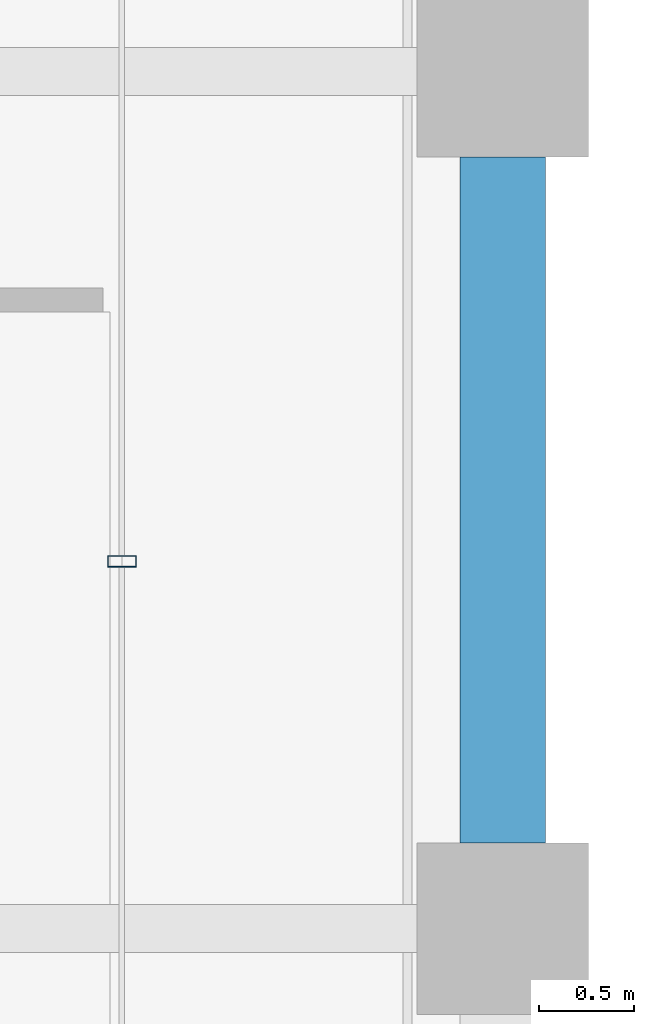
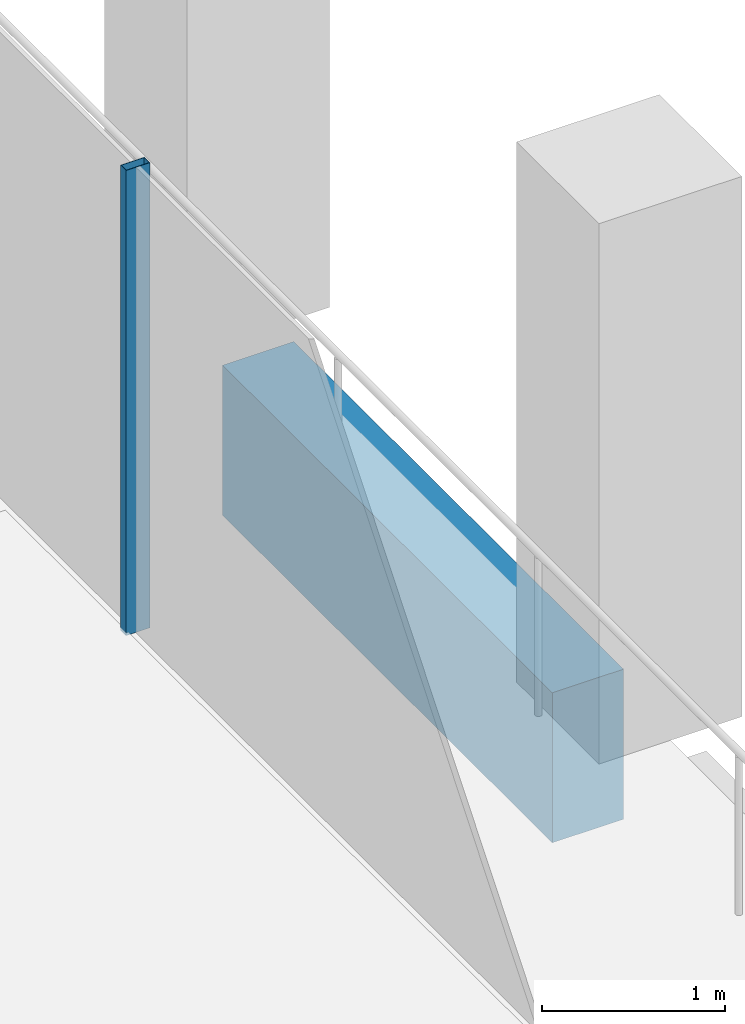
# One storey, part 17 of 40: 1 beam, 1 member, 1 element without a shape of its own.
"""IFC4 building model written with IfcOpenShell, lengths in metres."""

from ifc_helpers import new_model, si_unit, direction, frame, origin, origin_2d, place, context, subcontext, project, spatial, rectangle, hollow_rectangle, extrude, material, material_profile, profile_set, type_object, element, aggregate, save


model = new_model("IFC4")

# Units and contexts
model_context = context("Model", 3, precision=1e-05, world=origin(), true_north=direction((0.0, 1.0)))
body_context = subcontext(model_context, "Body", "Model", "MODEL_VIEW")
ifc_project = project(units=[si_unit("LENGTHUNIT", "METRE"), si_unit("AREAUNIT", "SQUARE_METRE"), si_unit("VOLUMEUNIT", "CUBIC_METRE"), si_unit("PLANEANGLEUNIT", "RADIAN"), si_unit("MASSUNIT", "GRAM", prefix="KILO")], contexts=[model_context])

# Site, building, storey
site_placement = place(None, origin())
site = spatial("IfcSite", under=ifc_project, at=site_placement, CompositionType="ELEMENT")
building_placement = place(site_placement, origin())
building = spatial("IfcBuilding", under=site, at=building_placement, Name="Altepetl Exchange Towers", CompositionType="ELEMENT")
storey_placement = place(building_placement, frame((0.0, 0.0, 169.0)))
storey = spatial("IfcBuildingStorey", under=building, at=storey_placement, Name="L42", CompositionType="ELEMENT", Elevation=169.0)

# Curtain wall, member
ifc_material_1 = material(Name="Aluminium 6063-T6 glazing", Category="aluminium")
curtain_wall_type = type_object("IfcCurtainWallType", Name="Loggia glazing system", PredefinedType="NOTDEFINED", material=ifc_material_1)
curtain_wall_placement = place(storey_placement, origin())
curtain_wall = element("IfcCurtainWall", 1, at=curtain_wall_placement, inside=storey, type_object=curtain_wall_type, Name="CW1 run", PredefinedType="NOTDEFINED")
ifc_material_2 = material(Name="Aluminium 6063-T6", Category="aluminium")
ifc_material_profile_1 = material_profile(ifc_material_2, hollow_rectangle(XDim=0.06005859375, YDim=0.14990234375, WallThickness=0.0029296875, at=origin_2d()), Name="Mullion 60x150 aluminium")
ifc_profile_set_1 = profile_set([ifc_material_profile_1], Name="Aluminium 6063-T6")
member_type = type_object("IfcMemberType", Name="Mullion 60x150 aluminium", PredefinedType="MULLION", material=ifc_profile_set_1)
member_placement = place(storey_placement, frame((70.0, 46.927978515625, 0.0), z_axis=(0.0, 0.0, 1.0), x_axis=(0.0, 1.0, 0.0)))
member = element("IfcMember", 2, at=member_placement, type_object=member_type, Name="MU1 mullion", PredefinedType="MULLION", context=body_context, shape_type="SweptSolid", body=[
    extrude(hollow_rectangle(XDim=0.06005859375, YDim=0.14990234375, WallThickness=0.0029296875, at=origin_2d()), origin(), (0.0, 0.0, 1.0), 3.10009765625),
])
aggregate(curtain_wall, [member])

# Beam
ifc_material_3 = material(Name="Concrete C50/60 precast with cantera amarilla facing", Category="concrete")
ifc_material_profile_2 = material_profile(ifc_material_3, rectangle(XDim=0.449951171875, YDim=1.0, at=origin_2d()), Name="450 x 1000")
ifc_profile_set_2 = profile_set([ifc_material_profile_2], Name="Concrete C50/60 precast with cantera amarilla facing")
beam_type = type_object("IfcBeamType", Name="Spandrel beam 450x1000 cantera amarilla", PredefinedType="SPANDREL", material=ifc_profile_set_2)
beam_placement = place(storey_placement, frame((72.0, 45.449951171875, -0.64990234375), z_axis=(0.0, 1.0, 0.0), x_axis=(-1.0, 0.0, 0.0)))
element("IfcBeam", 3, at=beam_placement, inside=storey, type_object=beam_type, Name="sp:A:L42:015", PredefinedType="SPANDREL", context=body_context, shape_type="SweptSolid", body=[
    extrude(rectangle(XDim=0.449951171875, YDim=1.0, at=origin_2d()), origin(), (0.0, 0.0, 1.0), 3.60009765625),
])

save(model, "model.ifc")
